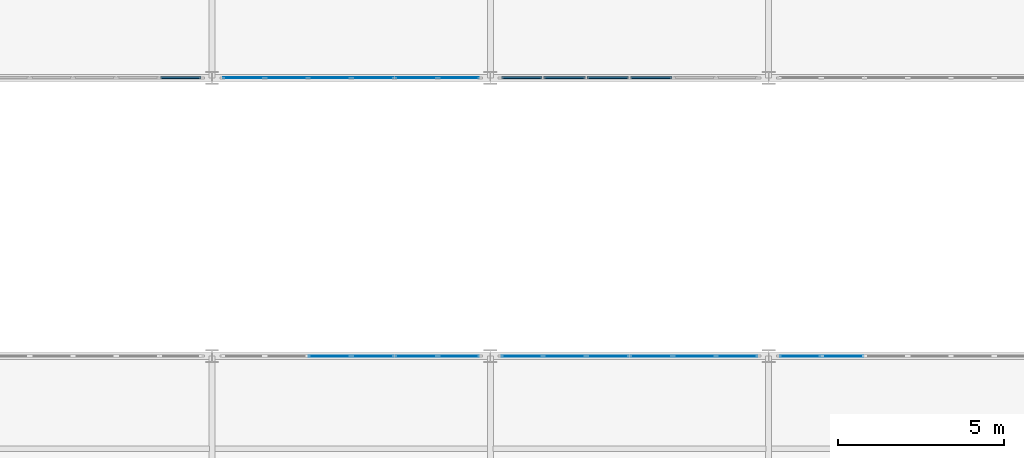
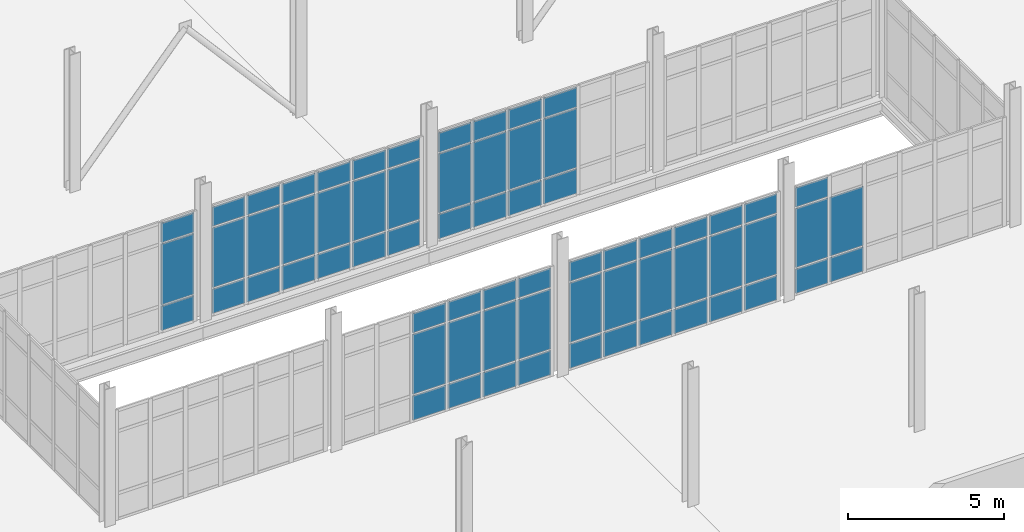
# One storey, part 79 of 111: 68 plates, 6 elements without a shape of their own.
"""IFC4 building model written with IfcOpenShell, lengths in metres."""

from ifc_helpers import new_model, si_unit, direction, frame, origin, origin_2d, place, context, subcontext, project, spatial, rectangle, extrude, material, layer, layer_set, type_object, element, aggregate, save


model = new_model("IFC4")

# Units and contexts
model_context = context("Model", 3, precision=1e-05, world=origin(), true_north=direction((0.0, 1.0)))
body_context = subcontext(model_context, "Body", "Model", "MODEL_VIEW")
ifc_project = project(units=[si_unit("LENGTHUNIT", "METRE"), si_unit("AREAUNIT", "SQUARE_METRE"), si_unit("VOLUMEUNIT", "CUBIC_METRE"), si_unit("PLANEANGLEUNIT", "RADIAN"), si_unit("MASSUNIT", "GRAM", prefix="KILO"), si_unit("THERMODYNAMICTEMPERATUREUNIT", "KELVIN"), si_unit("POWERUNIT", "WATT")], contexts=[model_context])

# Site, building, storey
site_placement = place(None, origin())
site = spatial("IfcSite", under=ifc_project, at=site_placement, CompositionType="ELEMENT")
building_placement = place(site_placement, origin())
building = spatial("IfcBuilding", under=site, at=building_placement, Name="Tembeka Court Mobility Hub", CompositionType="ELEMENT")
storey_placement = place(building_placement, origin())
storey = spatial("IfcBuildingStorey", under=building, at=storey_placement, Name="L00", CompositionType="ELEMENT", Elevation=0.0)

# Curtain wall, plates
ifc_material_1 = material(Name="Anodised aluminium 6063-T6", Category="aluminium")
ifc_layer_1 = layer(ifc_material_1, 0.159912109375)
ifc_layer_set_1 = layer_set([ifc_layer_1], Name="Anodised aluminium 6063-T6")
curtain_wall_type_1 = type_object("IfcCurtainWallType", Name="CW-SYS20", PredefinedType="USERDEFINED", material=ifc_layer_set_1)
curtain_wall_1_placement = place(storey_placement, origin())
curtain_wall_1 = element("IfcCurtainWall", 1, at=curtain_wall_1_placement, inside=storey, type_object=curtain_wall_type_1, Name="Unitised curtain wall CW20 (CW-L00-037)", ObjectType="UNITISED GLAZING", PredefinedType="USERDEFINED")
ifc_material_2 = material(Name="Laminated solar-control low-E glass", Category="glass")
ifc_layer_2 = layer(ifc_material_2, 0.028076171875)
ifc_layer_set_2 = layer_set([ifc_layer_2], Name="Laminated solar-control low-E glass")
plate_type_1 = type_object("IfcPlateType", Name="PL-CW01", PredefinedType="CURTAIN_PANEL", material=ifc_layer_set_2)
plate_1_placement = place(storey_placement, frame((37.146728515625, 55.199951171875, 0.06494140625), z_axis=(0.0, 0.0, 1.0), x_axis=(1.0, 0.0, 0.0)))
plate_1 = element("IfcPlate", 2, at=plate_1_placement, type_object=plate_type_1, Name="CW20 panel 3.1", PredefinedType="CURTAIN_PANEL", context=body_context, shape_type="SweptSolid", body=[
    extrude(rectangle(XDim=1.24169921875, YDim=0.028076171875, at=origin_2d()), origin(), (0.0, 0.0, 1.0), 0.952392578125),
])
plate_2_placement = place(storey_placement, frame((37.146728515625, 55.199951171875, 1.08251953125), z_axis=(0.0, 0.0, 1.0), x_axis=(1.0, 0.0, 0.0)))
plate_2 = element("IfcPlate", 3, at=plate_2_placement, type_object=plate_type_1, Name="CW20 panel 3.2", PredefinedType="CURTAIN_PANEL", context=body_context, shape_type="SweptSolid", body=[
    extrude(rectangle(XDim=1.24169921875, YDim=0.028076171875, at=origin_2d()), origin(), (0.0, 0.0, 1.0), 2.35009765625),
])
plate_3_placement = place(storey_placement, frame((37.146728515625, 55.199951171875, 3.49755859375), z_axis=(0.0, 0.0, 1.0), x_axis=(1.0, 0.0, 0.0)))
plate_3 = element("IfcPlate", 4, at=plate_3_placement, type_object=plate_type_1, Name="CW20 panel 3.3", PredefinedType="CURTAIN_PANEL", context=body_context, shape_type="SweptSolid", body=[
    extrude(rectangle(XDim=1.24169921875, YDim=0.028076171875, at=origin_2d()), origin(), (0.0, 0.0, 1.0), 0.75244140625),
])
plate_4_placement = place(storey_placement, frame((38.453369140625, 55.199951171875, 0.06494140625), z_axis=(0.0, 0.0, 1.0), x_axis=(1.0, 0.0, 0.0)))
plate_4 = element("IfcPlate", 5, at=plate_4_placement, type_object=plate_type_1, Name="CW20 panel 4.1", PredefinedType="CURTAIN_PANEL", context=body_context, shape_type="SweptSolid", body=[
    extrude(rectangle(XDim=1.24169921875, YDim=0.028076171875, at=origin_2d()), origin(), (0.0, 0.0, 1.0), 0.952392578125),
])
plate_5_placement = place(storey_placement, frame((38.453369140625, 55.199951171875, 1.08251953125), z_axis=(0.0, 0.0, 1.0), x_axis=(1.0, 0.0, 0.0)))
plate_5 = element("IfcPlate", 6, at=plate_5_placement, type_object=plate_type_1, Name="CW20 panel 4.2", PredefinedType="CURTAIN_PANEL", context=body_context, shape_type="SweptSolid", body=[
    extrude(rectangle(XDim=1.24169921875, YDim=0.028076171875, at=origin_2d()), origin(), (0.0, 0.0, 1.0), 2.35009765625),
])
plate_6_placement = place(storey_placement, frame((38.453369140625, 55.199951171875, 3.49755859375), z_axis=(0.0, 0.0, 1.0), x_axis=(1.0, 0.0, 0.0)))
plate_6 = element("IfcPlate", 7, at=plate_6_placement, type_object=plate_type_1, Name="CW20 panel 4.3", PredefinedType="CURTAIN_PANEL", context=body_context, shape_type="SweptSolid", body=[
    extrude(rectangle(XDim=1.24169921875, YDim=0.028076171875, at=origin_2d()), origin(), (0.0, 0.0, 1.0), 0.75244140625),
])
plate_7_placement = place(storey_placement, frame((39.760009765625, 55.199951171875, 0.06494140625), z_axis=(0.0, 0.0, 1.0), x_axis=(1.0, 0.0, 0.0)))
plate_7 = element("IfcPlate", 8, at=plate_7_placement, type_object=plate_type_1, Name="CW20 panel 5.1", PredefinedType="CURTAIN_PANEL", context=body_context, shape_type="SweptSolid", body=[
    extrude(rectangle(XDim=1.24169921875, YDim=0.028076171875, at=origin_2d()), origin(), (0.0, 0.0, 1.0), 0.952392578125),
])
plate_8_placement = place(storey_placement, frame((39.760009765625, 55.199951171875, 1.08251953125), z_axis=(0.0, 0.0, 1.0), x_axis=(1.0, 0.0, 0.0)))
plate_8 = element("IfcPlate", 9, at=plate_8_placement, type_object=plate_type_1, Name="CW20 panel 5.2", PredefinedType="CURTAIN_PANEL", context=body_context, shape_type="SweptSolid", body=[
    extrude(rectangle(XDim=1.24169921875, YDim=0.028076171875, at=origin_2d()), origin(), (0.0, 0.0, 1.0), 2.35009765625),
])
plate_9_placement = place(storey_placement, frame((39.760009765625, 55.199951171875, 3.49755859375), z_axis=(0.0, 0.0, 1.0), x_axis=(1.0, 0.0, 0.0)))
plate_9 = element("IfcPlate", 10, at=plate_9_placement, type_object=plate_type_1, Name="CW20 panel 5.3", PredefinedType="CURTAIN_PANEL", context=body_context, shape_type="SweptSolid", body=[
    extrude(rectangle(XDim=1.24169921875, YDim=0.028076171875, at=origin_2d()), origin(), (0.0, 0.0, 1.0), 0.75244140625),
])
plate_10_placement = place(storey_placement, frame((41.050537109375, 55.199951171875, 0.06494140625), z_axis=(0.0, 0.0, 1.0), x_axis=(1.0, 0.0, 0.0)))
plate_10 = element("IfcPlate", 11, at=plate_10_placement, type_object=plate_type_1, Name="CW20 panel 6.1", PredefinedType="CURTAIN_PANEL", context=body_context, shape_type="SweptSolid", body=[
    extrude(rectangle(XDim=1.209228515625, YDim=0.028076171875, at=origin_2d()), origin(), (0.0, 0.0, 1.0), 0.952392578125),
])
plate_11_placement = place(storey_placement, frame((41.050537109375, 55.199951171875, 1.08251953125), z_axis=(0.0, 0.0, 1.0), x_axis=(1.0, 0.0, 0.0)))
plate_11 = element("IfcPlate", 12, at=plate_11_placement, type_object=plate_type_1, Name="CW20 panel 6.2", PredefinedType="CURTAIN_PANEL", context=body_context, shape_type="SweptSolid", body=[
    extrude(rectangle(XDim=1.209228515625, YDim=0.028076171875, at=origin_2d()), origin(), (0.0, 0.0, 1.0), 2.35009765625),
])
plate_12_placement = place(storey_placement, frame((41.050537109375, 55.199951171875, 3.49755859375), z_axis=(0.0, 0.0, 1.0), x_axis=(1.0, 0.0, 0.0)))
plate_12 = element("IfcPlate", 13, at=plate_12_placement, type_object=plate_type_1, Name="CW20 panel 6.3", PredefinedType="CURTAIN_PANEL", context=body_context, shape_type="SweptSolid", body=[
    extrude(rectangle(XDim=1.209228515625, YDim=0.028076171875, at=origin_2d()), origin(), (0.0, 0.0, 1.0), 0.75244140625),
])
aggregate(curtain_wall_1, [plate_1, plate_2, plate_3, plate_4, plate_5, plate_6, plate_7, plate_8, plate_9, plate_10, plate_11, plate_12])

ifc_layer_3 = layer(ifc_material_1, 0.159912109375)
ifc_layer_set_3 = layer_set([ifc_layer_3], Name="Anodised aluminium 6063-T6")
curtain_wall_type_2 = type_object("IfcCurtainWallType", Name="CW-SYS21", PredefinedType="USERDEFINED", material=ifc_layer_set_3)
curtain_wall_2_placement = place(storey_placement, origin())
curtain_wall_2 = element("IfcCurtainWall", 14, at=curtain_wall_2_placement, inside=storey, type_object=curtain_wall_type_2, Name="Unitised curtain wall CW21 (CW-L00-038)", ObjectType="UNITISED GLAZING", PredefinedType="USERDEFINED")
plate_13_placement = place(storey_placement, frame((34.549560546875, 63.60009765625, 0.06494140625), z_axis=(0.0, 0.0, 1.0), x_axis=(1.0, 0.0, 0.0)))
plate_13 = element("IfcPlate", 15, at=plate_13_placement, type_object=plate_type_1, Name="CW21 panel 1.1", PredefinedType="CURTAIN_PANEL", context=body_context, shape_type="SweptSolid", body=[
    extrude(rectangle(XDim=1.209228515625, YDim=0.028076171875, at=origin_2d()), origin(), (0.0, 0.0, 1.0), 0.952392578125),
])
plate_14_placement = place(storey_placement, frame((34.549560546875, 63.60009765625, 1.08251953125), z_axis=(0.0, 0.0, 1.0), x_axis=(1.0, 0.0, 0.0)))
plate_14 = element("IfcPlate", 16, at=plate_14_placement, type_object=plate_type_1, Name="CW21 panel 1.2", PredefinedType="CURTAIN_PANEL", context=body_context, shape_type="SweptSolid", body=[
    extrude(rectangle(XDim=1.209228515625, YDim=0.028076171875, at=origin_2d()), origin(), (0.0, 0.0, 1.0), 2.340087890625),
])
plate_15_placement = place(storey_placement, frame((34.549560546875, 63.60009765625, 3.487548828125), z_axis=(0.0, 0.0, 1.0), x_axis=(1.0, 0.0, 0.0)))
plate_15 = element("IfcPlate", 17, at=plate_15_placement, type_object=plate_type_1, Name="CW21 panel 1.3", PredefinedType="CURTAIN_PANEL", context=body_context, shape_type="SweptSolid", body=[
    extrude(rectangle(XDim=1.209228515625, YDim=0.028076171875, at=origin_2d()), origin(), (0.0, 0.0, 1.0), 0.75244140625),
])
plate_16_placement = place(storey_placement, frame((35.840087890625, 63.60009765625, 0.06494140625), z_axis=(0.0, 0.0, 1.0), x_axis=(1.0, 0.0, 0.0)))
plate_16 = element("IfcPlate", 18, at=plate_16_placement, type_object=plate_type_1, Name="CW21 panel 2.1", PredefinedType="CURTAIN_PANEL", context=body_context, shape_type="SweptSolid", body=[
    extrude(rectangle(XDim=1.24169921875, YDim=0.028076171875, at=origin_2d()), origin(), (0.0, 0.0, 1.0), 0.952392578125),
])
plate_17_placement = place(storey_placement, frame((35.840087890625, 63.60009765625, 1.08251953125), z_axis=(0.0, 0.0, 1.0), x_axis=(1.0, 0.0, 0.0)))
plate_17 = element("IfcPlate", 19, at=plate_17_placement, type_object=plate_type_1, Name="CW21 panel 2.2", PredefinedType="CURTAIN_PANEL", context=body_context, shape_type="SweptSolid", body=[
    extrude(rectangle(XDim=1.24169921875, YDim=0.028076171875, at=origin_2d()), origin(), (0.0, 0.0, 1.0), 2.340087890625),
])
plate_18_placement = place(storey_placement, frame((35.840087890625, 63.60009765625, 3.487548828125), z_axis=(0.0, 0.0, 1.0), x_axis=(1.0, 0.0, 0.0)))
plate_18 = element("IfcPlate", 20, at=plate_18_placement, type_object=plate_type_1, Name="CW21 panel 2.3", PredefinedType="CURTAIN_PANEL", context=body_context, shape_type="SweptSolid", body=[
    extrude(rectangle(XDim=1.24169921875, YDim=0.028076171875, at=origin_2d()), origin(), (0.0, 0.0, 1.0), 0.75244140625),
])
plate_19_placement = place(storey_placement, frame((37.146728515625, 63.60009765625, 0.06494140625), z_axis=(0.0, 0.0, 1.0), x_axis=(1.0, 0.0, 0.0)))
plate_19 = element("IfcPlate", 21, at=plate_19_placement, type_object=plate_type_1, Name="CW21 panel 3.1", PredefinedType="CURTAIN_PANEL", context=body_context, shape_type="SweptSolid", body=[
    extrude(rectangle(XDim=1.24169921875, YDim=0.028076171875, at=origin_2d()), origin(), (0.0, 0.0, 1.0), 0.952392578125),
])
plate_20_placement = place(storey_placement, frame((37.146728515625, 63.60009765625, 1.08251953125), z_axis=(0.0, 0.0, 1.0), x_axis=(1.0, 0.0, 0.0)))
plate_20 = element("IfcPlate", 22, at=plate_20_placement, type_object=plate_type_1, Name="CW21 panel 3.2", PredefinedType="CURTAIN_PANEL", context=body_context, shape_type="SweptSolid", body=[
    extrude(rectangle(XDim=1.24169921875, YDim=0.028076171875, at=origin_2d()), origin(), (0.0, 0.0, 1.0), 2.340087890625),
])
plate_21_placement = place(storey_placement, frame((37.146728515625, 63.60009765625, 3.487548828125), z_axis=(0.0, 0.0, 1.0), x_axis=(1.0, 0.0, 0.0)))
plate_21 = element("IfcPlate", 23, at=plate_21_placement, type_object=plate_type_1, Name="CW21 panel 3.3", PredefinedType="CURTAIN_PANEL", context=body_context, shape_type="SweptSolid", body=[
    extrude(rectangle(XDim=1.24169921875, YDim=0.028076171875, at=origin_2d()), origin(), (0.0, 0.0, 1.0), 0.75244140625),
])
plate_22_placement = place(storey_placement, frame((38.453369140625, 63.60009765625, 0.06494140625), z_axis=(0.0, 0.0, 1.0), x_axis=(1.0, 0.0, 0.0)))
plate_22 = element("IfcPlate", 24, at=plate_22_placement, type_object=plate_type_1, Name="CW21 panel 4.1", PredefinedType="CURTAIN_PANEL", context=body_context, shape_type="SweptSolid", body=[
    extrude(rectangle(XDim=1.24169921875, YDim=0.028076171875, at=origin_2d()), origin(), (0.0, 0.0, 1.0), 0.952392578125),
])
plate_23_placement = place(storey_placement, frame((38.453369140625, 63.60009765625, 1.08251953125), z_axis=(0.0, 0.0, 1.0), x_axis=(1.0, 0.0, 0.0)))
plate_23 = element("IfcPlate", 25, at=plate_23_placement, type_object=plate_type_1, Name="CW21 panel 4.2", PredefinedType="CURTAIN_PANEL", context=body_context, shape_type="SweptSolid", body=[
    extrude(rectangle(XDim=1.24169921875, YDim=0.028076171875, at=origin_2d()), origin(), (0.0, 0.0, 1.0), 2.340087890625),
])
plate_24_placement = place(storey_placement, frame((38.453369140625, 63.60009765625, 3.487548828125), z_axis=(0.0, 0.0, 1.0), x_axis=(1.0, 0.0, 0.0)))
plate_24 = element("IfcPlate", 26, at=plate_24_placement, type_object=plate_type_1, Name="CW21 panel 4.3", PredefinedType="CURTAIN_PANEL", context=body_context, shape_type="SweptSolid", body=[
    extrude(rectangle(XDim=1.24169921875, YDim=0.028076171875, at=origin_2d()), origin(), (0.0, 0.0, 1.0), 0.75244140625),
])
plate_25_placement = place(storey_placement, frame((39.760009765625, 63.60009765625, 0.06494140625), z_axis=(0.0, 0.0, 1.0), x_axis=(1.0, 0.0, 0.0)))
plate_25 = element("IfcPlate", 27, at=plate_25_placement, type_object=plate_type_1, Name="CW21 panel 5.1", PredefinedType="CURTAIN_PANEL", context=body_context, shape_type="SweptSolid", body=[
    extrude(rectangle(XDim=1.24169921875, YDim=0.028076171875, at=origin_2d()), origin(), (0.0, 0.0, 1.0), 0.952392578125),
])
plate_26_placement = place(storey_placement, frame((39.760009765625, 63.60009765625, 1.08251953125), z_axis=(0.0, 0.0, 1.0), x_axis=(1.0, 0.0, 0.0)))
plate_26 = element("IfcPlate", 28, at=plate_26_placement, type_object=plate_type_1, Name="CW21 panel 5.2", PredefinedType="CURTAIN_PANEL", context=body_context, shape_type="SweptSolid", body=[
    extrude(rectangle(XDim=1.24169921875, YDim=0.028076171875, at=origin_2d()), origin(), (0.0, 0.0, 1.0), 2.340087890625),
])
plate_27_placement = place(storey_placement, frame((39.760009765625, 63.60009765625, 3.487548828125), z_axis=(0.0, 0.0, 1.0), x_axis=(1.0, 0.0, 0.0)))
plate_27 = element("IfcPlate", 29, at=plate_27_placement, type_object=plate_type_1, Name="CW21 panel 5.3", PredefinedType="CURTAIN_PANEL", context=body_context, shape_type="SweptSolid", body=[
    extrude(rectangle(XDim=1.24169921875, YDim=0.028076171875, at=origin_2d()), origin(), (0.0, 0.0, 1.0), 0.75244140625),
])
plate_28_placement = place(storey_placement, frame((41.050537109375, 63.60009765625, 0.06494140625), z_axis=(0.0, 0.0, 1.0), x_axis=(1.0, 0.0, 0.0)))
plate_28 = element("IfcPlate", 30, at=plate_28_placement, type_object=plate_type_1, Name="CW21 panel 6.1", PredefinedType="CURTAIN_PANEL", context=body_context, shape_type="SweptSolid", body=[
    extrude(rectangle(XDim=1.209228515625, YDim=0.028076171875, at=origin_2d()), origin(), (0.0, 0.0, 1.0), 0.952392578125),
])
plate_29_placement = place(storey_placement, frame((41.050537109375, 63.60009765625, 1.08251953125), z_axis=(0.0, 0.0, 1.0), x_axis=(1.0, 0.0, 0.0)))
plate_29 = element("IfcPlate", 31, at=plate_29_placement, type_object=plate_type_1, Name="CW21 panel 6.2", PredefinedType="CURTAIN_PANEL", context=body_context, shape_type="SweptSolid", body=[
    extrude(rectangle(XDim=1.209228515625, YDim=0.028076171875, at=origin_2d()), origin(), (0.0, 0.0, 1.0), 2.340087890625),
])
plate_30_placement = place(storey_placement, frame((41.050537109375, 63.60009765625, 3.487548828125), z_axis=(0.0, 0.0, 1.0), x_axis=(1.0, 0.0, 0.0)))
plate_30 = element("IfcPlate", 32, at=plate_30_placement, type_object=plate_type_1, Name="CW21 panel 6.3", PredefinedType="CURTAIN_PANEL", context=body_context, shape_type="SweptSolid", body=[
    extrude(rectangle(XDim=1.209228515625, YDim=0.028076171875, at=origin_2d()), origin(), (0.0, 0.0, 1.0), 0.75244140625),
])
aggregate(curtain_wall_2, [plate_13, plate_14, plate_15, plate_16, plate_17, plate_18, plate_19, plate_20, plate_21, plate_22, plate_23, plate_24, plate_25, plate_26, plate_27, plate_28, plate_29, plate_30])

curtain_wall_3_placement = place(storey_placement, origin())
curtain_wall_3 = element("IfcCurtainWall", 33, at=curtain_wall_3_placement, inside=storey, type_object=curtain_wall_type_2, Name="Unitised curtain wall CW21 (CW-L00-039)", ObjectType="UNITISED GLAZING", PredefinedType="USERDEFINED")
plate_31_placement = place(storey_placement, frame((42.949462890625, 55.199951171875, 0.06494140625), z_axis=(0.0, 0.0, 1.0), x_axis=(1.0, 0.0, 0.0)))
plate_31 = element("IfcPlate", 34, at=plate_31_placement, type_object=plate_type_1, Name="CW21 panel 1.1", PredefinedType="CURTAIN_PANEL", context=body_context, shape_type="SweptSolid", body=[
    extrude(rectangle(XDim=1.209228515625, YDim=0.028076171875, at=origin_2d()), origin(), (0.0, 0.0, 1.0), 0.952392578125),
])
plate_32_placement = place(storey_placement, frame((42.949462890625, 55.199951171875, 1.08251953125), z_axis=(0.0, 0.0, 1.0), x_axis=(1.0, 0.0, 0.0)))
plate_32 = element("IfcPlate", 35, at=plate_32_placement, type_object=plate_type_1, Name="CW21 panel 1.2", PredefinedType="CURTAIN_PANEL", context=body_context, shape_type="SweptSolid", body=[
    extrude(rectangle(XDim=1.209228515625, YDim=0.028076171875, at=origin_2d()), origin(), (0.0, 0.0, 1.0), 2.330078125),
])
plate_33_placement = place(storey_placement, frame((42.949462890625, 55.199951171875, 3.4775390625), z_axis=(0.0, 0.0, 1.0), x_axis=(1.0, 0.0, 0.0)))
plate_33 = element("IfcPlate", 36, at=plate_33_placement, type_object=plate_type_1, Name="CW21 panel 1.3", PredefinedType="CURTAIN_PANEL", context=body_context, shape_type="SweptSolid", body=[
    extrude(rectangle(XDim=1.209228515625, YDim=0.028076171875, at=origin_2d()), origin(), (0.0, 0.0, 1.0), 0.75244140625),
])
plate_34_placement = place(storey_placement, frame((44.239990234375, 55.199951171875, 0.06494140625), z_axis=(0.0, 0.0, 1.0), x_axis=(1.0, 0.0, 0.0)))
plate_34 = element("IfcPlate", 37, at=plate_34_placement, type_object=plate_type_1, Name="CW21 panel 2.1", PredefinedType="CURTAIN_PANEL", context=body_context, shape_type="SweptSolid", body=[
    extrude(rectangle(XDim=1.24169921875, YDim=0.028076171875, at=origin_2d()), origin(), (0.0, 0.0, 1.0), 0.952392578125),
])
plate_35_placement = place(storey_placement, frame((44.239990234375, 55.199951171875, 1.08251953125), z_axis=(0.0, 0.0, 1.0), x_axis=(1.0, 0.0, 0.0)))
plate_35 = element("IfcPlate", 38, at=plate_35_placement, type_object=plate_type_1, Name="CW21 panel 2.2", PredefinedType="CURTAIN_PANEL", context=body_context, shape_type="SweptSolid", body=[
    extrude(rectangle(XDim=1.24169921875, YDim=0.028076171875, at=origin_2d()), origin(), (0.0, 0.0, 1.0), 2.330078125),
])
plate_36_placement = place(storey_placement, frame((44.239990234375, 55.199951171875, 3.4775390625), z_axis=(0.0, 0.0, 1.0), x_axis=(1.0, 0.0, 0.0)))
plate_36 = element("IfcPlate", 39, at=plate_36_placement, type_object=plate_type_1, Name="CW21 panel 2.3", PredefinedType="CURTAIN_PANEL", context=body_context, shape_type="SweptSolid", body=[
    extrude(rectangle(XDim=1.24169921875, YDim=0.028076171875, at=origin_2d()), origin(), (0.0, 0.0, 1.0), 0.75244140625),
])
plate_37_placement = place(storey_placement, frame((45.546630859375, 55.199951171875, 0.06494140625), z_axis=(0.0, 0.0, 1.0), x_axis=(1.0, 0.0, 0.0)))
plate_37 = element("IfcPlate", 40, at=plate_37_placement, type_object=plate_type_1, Name="CW21 panel 3.1", PredefinedType="CURTAIN_PANEL", context=body_context, shape_type="SweptSolid", body=[
    extrude(rectangle(XDim=1.24169921875, YDim=0.028076171875, at=origin_2d()), origin(), (0.0, 0.0, 1.0), 0.952392578125),
])
plate_38_placement = place(storey_placement, frame((45.546630859375, 55.199951171875, 1.08251953125), z_axis=(0.0, 0.0, 1.0), x_axis=(1.0, 0.0, 0.0)))
plate_38 = element("IfcPlate", 41, at=plate_38_placement, type_object=plate_type_1, Name="CW21 panel 3.2", PredefinedType="CURTAIN_PANEL", context=body_context, shape_type="SweptSolid", body=[
    extrude(rectangle(XDim=1.24169921875, YDim=0.028076171875, at=origin_2d()), origin(), (0.0, 0.0, 1.0), 2.330078125),
])
plate_39_placement = place(storey_placement, frame((45.546630859375, 55.199951171875, 3.4775390625), z_axis=(0.0, 0.0, 1.0), x_axis=(1.0, 0.0, 0.0)))
plate_39 = element("IfcPlate", 42, at=plate_39_placement, type_object=plate_type_1, Name="CW21 panel 3.3", PredefinedType="CURTAIN_PANEL", context=body_context, shape_type="SweptSolid", body=[
    extrude(rectangle(XDim=1.24169921875, YDim=0.028076171875, at=origin_2d()), origin(), (0.0, 0.0, 1.0), 0.75244140625),
])
plate_40_placement = place(storey_placement, frame((46.853271484375, 55.199951171875, 0.06494140625), z_axis=(0.0, 0.0, 1.0), x_axis=(1.0, 0.0, 0.0)))
plate_40 = element("IfcPlate", 43, at=plate_40_placement, type_object=plate_type_1, Name="CW21 panel 4.1", PredefinedType="CURTAIN_PANEL", context=body_context, shape_type="SweptSolid", body=[
    extrude(rectangle(XDim=1.24169921875, YDim=0.028076171875, at=origin_2d()), origin(), (0.0, 0.0, 1.0), 0.952392578125),
])
plate_41_placement = place(storey_placement, frame((46.853271484375, 55.199951171875, 1.08251953125), z_axis=(0.0, 0.0, 1.0), x_axis=(1.0, 0.0, 0.0)))
plate_41 = element("IfcPlate", 44, at=plate_41_placement, type_object=plate_type_1, Name="CW21 panel 4.2", PredefinedType="CURTAIN_PANEL", context=body_context, shape_type="SweptSolid", body=[
    extrude(rectangle(XDim=1.24169921875, YDim=0.028076171875, at=origin_2d()), origin(), (0.0, 0.0, 1.0), 2.330078125),
])
plate_42_placement = place(storey_placement, frame((46.853271484375, 55.199951171875, 3.4775390625), z_axis=(0.0, 0.0, 1.0), x_axis=(1.0, 0.0, 0.0)))
plate_42 = element("IfcPlate", 45, at=plate_42_placement, type_object=plate_type_1, Name="CW21 panel 4.3", PredefinedType="CURTAIN_PANEL", context=body_context, shape_type="SweptSolid", body=[
    extrude(rectangle(XDim=1.24169921875, YDim=0.028076171875, at=origin_2d()), origin(), (0.0, 0.0, 1.0), 0.75244140625),
])
plate_43_placement = place(storey_placement, frame((48.159912109375, 55.199951171875, 0.06494140625), z_axis=(0.0, 0.0, 1.0), x_axis=(1.0, 0.0, 0.0)))
plate_43 = element("IfcPlate", 46, at=plate_43_placement, type_object=plate_type_1, Name="CW21 panel 5.1", PredefinedType="CURTAIN_PANEL", context=body_context, shape_type="SweptSolid", body=[
    extrude(rectangle(XDim=1.24169921875, YDim=0.028076171875, at=origin_2d()), origin(), (0.0, 0.0, 1.0), 0.952392578125),
])
plate_44_placement = place(storey_placement, frame((48.159912109375, 55.199951171875, 1.08251953125), z_axis=(0.0, 0.0, 1.0), x_axis=(1.0, 0.0, 0.0)))
plate_44 = element("IfcPlate", 47, at=plate_44_placement, type_object=plate_type_1, Name="CW21 panel 5.2", PredefinedType="CURTAIN_PANEL", context=body_context, shape_type="SweptSolid", body=[
    extrude(rectangle(XDim=1.24169921875, YDim=0.028076171875, at=origin_2d()), origin(), (0.0, 0.0, 1.0), 2.330078125),
])
plate_45_placement = place(storey_placement, frame((48.159912109375, 55.199951171875, 3.4775390625), z_axis=(0.0, 0.0, 1.0), x_axis=(1.0, 0.0, 0.0)))
plate_45 = element("IfcPlate", 48, at=plate_45_placement, type_object=plate_type_1, Name="CW21 panel 5.3", PredefinedType="CURTAIN_PANEL", context=body_context, shape_type="SweptSolid", body=[
    extrude(rectangle(XDim=1.24169921875, YDim=0.028076171875, at=origin_2d()), origin(), (0.0, 0.0, 1.0), 0.75244140625),
])
plate_46_placement = place(storey_placement, frame((49.450439453125, 55.199951171875, 0.06494140625), z_axis=(0.0, 0.0, 1.0), x_axis=(1.0, 0.0, 0.0)))
plate_46 = element("IfcPlate", 49, at=plate_46_placement, type_object=plate_type_1, Name="CW21 panel 6.1", PredefinedType="CURTAIN_PANEL", context=body_context, shape_type="SweptSolid", body=[
    extrude(rectangle(XDim=1.209228515625, YDim=0.028076171875, at=origin_2d()), origin(), (0.0, 0.0, 1.0), 0.952392578125),
])
plate_47_placement = place(storey_placement, frame((49.450439453125, 55.199951171875, 1.08251953125), z_axis=(0.0, 0.0, 1.0), x_axis=(1.0, 0.0, 0.0)))
plate_47 = element("IfcPlate", 50, at=plate_47_placement, type_object=plate_type_1, Name="CW21 panel 6.2", PredefinedType="CURTAIN_PANEL", context=body_context, shape_type="SweptSolid", body=[
    extrude(rectangle(XDim=1.209228515625, YDim=0.028076171875, at=origin_2d()), origin(), (0.0, 0.0, 1.0), 2.330078125),
])
plate_48_placement = place(storey_placement, frame((49.450439453125, 55.199951171875, 3.4775390625), z_axis=(0.0, 0.0, 1.0), x_axis=(1.0, 0.0, 0.0)))
plate_48 = element("IfcPlate", 51, at=plate_48_placement, type_object=plate_type_1, Name="CW21 panel 6.3", PredefinedType="CURTAIN_PANEL", context=body_context, shape_type="SweptSolid", body=[
    extrude(rectangle(XDim=1.209228515625, YDim=0.028076171875, at=origin_2d()), origin(), (0.0, 0.0, 1.0), 0.75244140625),
])
aggregate(curtain_wall_3, [plate_31, plate_32, plate_33, plate_34, plate_35, plate_36, plate_37, plate_38, plate_39, plate_40, plate_41, plate_42, plate_43, plate_44, plate_45, plate_46, plate_47, plate_48])

ifc_layer_4 = layer(ifc_material_1, 0.159912109375)
ifc_layer_set_4 = layer_set([ifc_layer_4], Name="Anodised aluminium 6063-T6")
curtain_wall_type_3 = type_object("IfcCurtainWallType", Name="CW-SYS22", PredefinedType="USERDEFINED", material=ifc_layer_set_4)
curtain_wall_4_placement = place(storey_placement, origin())
curtain_wall_4 = element("IfcCurtainWall", 52, at=curtain_wall_4_placement, inside=storey, type_object=curtain_wall_type_3, Name="Unitised curtain wall CW22 (CW-L00-041)", ObjectType="UNITISED GLAZING", PredefinedType="USERDEFINED")
plate_49_placement = place(storey_placement, frame((51.349609375, 55.199951171875, 0.06494140625), z_axis=(0.0, 0.0, 1.0), x_axis=(1.0, 0.0, 0.0)))
plate_49 = element("IfcPlate", 53, at=plate_49_placement, type_object=plate_type_1, Name="CW22 panel 1.1", PredefinedType="CURTAIN_PANEL", context=body_context, shape_type="SweptSolid", body=[
    extrude(rectangle(XDim=1.209228515625, YDim=0.028076171875, at=origin_2d()), origin(), (0.0, 0.0, 1.0), 0.952392578125),
])
plate_50_placement = place(storey_placement, frame((51.349609375, 55.199951171875, 1.08251953125), z_axis=(0.0, 0.0, 1.0), x_axis=(1.0, 0.0, 0.0)))
plate_50 = element("IfcPlate", 54, at=plate_50_placement, type_object=plate_type_1, Name="CW22 panel 1.2", PredefinedType="CURTAIN_PANEL", context=body_context, shape_type="SweptSolid", body=[
    extrude(rectangle(XDim=1.209228515625, YDim=0.028076171875, at=origin_2d()), origin(), (0.0, 0.0, 1.0), 2.31005859375),
])
plate_51_placement = place(storey_placement, frame((51.349609375, 55.199951171875, 3.45751953125), z_axis=(0.0, 0.0, 1.0), x_axis=(1.0, 0.0, 0.0)))
plate_51 = element("IfcPlate", 55, at=plate_51_placement, type_object=plate_type_1, Name="CW22 panel 1.3", PredefinedType="CURTAIN_PANEL", context=body_context, shape_type="SweptSolid", body=[
    extrude(rectangle(XDim=1.209228515625, YDim=0.028076171875, at=origin_2d()), origin(), (0.0, 0.0, 1.0), 0.75244140625),
])
plate_52_placement = place(storey_placement, frame((52.639892578125, 55.199951171875, 0.06494140625), z_axis=(0.0, 0.0, 1.0), x_axis=(1.0, 0.0, 0.0)))
plate_52 = element("IfcPlate", 56, at=plate_52_placement, type_object=plate_type_1, Name="CW22 panel 2.1", PredefinedType="CURTAIN_PANEL", context=body_context, shape_type="SweptSolid", body=[
    extrude(rectangle(XDim=1.24169921875, YDim=0.028076171875, at=origin_2d()), origin(), (0.0, 0.0, 1.0), 0.952392578125),
])
plate_53_placement = place(storey_placement, frame((52.639892578125, 55.199951171875, 1.08251953125), z_axis=(0.0, 0.0, 1.0), x_axis=(1.0, 0.0, 0.0)))
plate_53 = element("IfcPlate", 57, at=plate_53_placement, type_object=plate_type_1, Name="CW22 panel 2.2", PredefinedType="CURTAIN_PANEL", context=body_context, shape_type="SweptSolid", body=[
    extrude(rectangle(XDim=1.24169921875, YDim=0.028076171875, at=origin_2d()), origin(), (0.0, 0.0, 1.0), 2.31005859375),
])
aggregate(curtain_wall_4, [plate_49, plate_50, plate_51, plate_52, plate_53])

ifc_layer_5 = layer(ifc_material_1, 0.159912109375)
ifc_layer_set_5 = layer_set([ifc_layer_5], Name="Anodised aluminium 6063-T6")
curtain_wall_type_4 = type_object("IfcCurtainWallType", Name="CW-SYS01", PredefinedType="USERDEFINED", material=ifc_layer_set_5)
curtain_wall_5_placement = place(storey_placement, origin())
curtain_wall_5 = element("IfcCurtainWall", 58, at=curtain_wall_5_placement, inside=storey, type_object=curtain_wall_type_4, Name="Unitised curtain wall CW01 (CW-L00-036)", ObjectType="UNITISED GLAZING", PredefinedType="USERDEFINED")
ifc_material_3 = material(Name="Insulated aluminium spandrel panel", Category="aluminium")
ifc_layer_6 = layer(ifc_material_3, 0.052001953125)
ifc_layer_set_6 = layer_set([ifc_layer_6], Name="Insulated aluminium spandrel panel")
plate_type_2 = type_object("IfcPlateType", Name="PL-CW02", PredefinedType="CURTAIN_PANEL", material=ifc_layer_set_6)
plate_54_placement = place(storey_placement, frame((32.650390625, 63.60009765625, 0.06494140625), z_axis=(0.0, 0.0, 1.0), x_axis=(1.0, 0.0, 0.0)))
plate_54 = element("IfcPlate", 59, at=plate_54_placement, type_object=plate_type_2, Name="CW01 panel 6.1", PredefinedType="CURTAIN_PANEL", context=body_context, shape_type="SweptSolid", body=[
    extrude(rectangle(XDim=1.209228515625, YDim=0.052001953125, at=origin_2d()), origin(), (0.0, 0.0, 1.0), 0.952392578125),
])
plate_55_placement = place(storey_placement, frame((32.650390625, 63.60009765625, 1.08251953125), z_axis=(0.0, 0.0, 1.0), x_axis=(1.0, 0.0, 0.0)))
plate_55 = element("IfcPlate", 60, at=plate_55_placement, type_object=plate_type_2, Name="CW01 panel 6.2", PredefinedType="CURTAIN_PANEL", context=body_context, shape_type="SweptSolid", body=[
    extrude(rectangle(XDim=1.209228515625, YDim=0.052001953125, at=origin_2d()), origin(), (0.0, 0.0, 1.0), 2.3701171875),
])
plate_56_placement = place(storey_placement, frame((32.650390625, 63.60009765625, 3.517578125), z_axis=(0.0, 0.0, 1.0), x_axis=(1.0, 0.0, 0.0)))
plate_56 = element("IfcPlate", 61, at=plate_56_placement, type_object=plate_type_2, Name="CW01 panel 6.3", PredefinedType="CURTAIN_PANEL", context=body_context, shape_type="SweptSolid", body=[
    extrude(rectangle(XDim=1.209228515625, YDim=0.052001953125, at=origin_2d()), origin(), (0.0, 0.0, 1.0), 0.75244140625),
])
aggregate(curtain_wall_5, [plate_54, plate_55, plate_56])

curtain_wall_6_placement = place(storey_placement, origin())
curtain_wall_6 = element("IfcCurtainWall", 62, at=curtain_wall_6_placement, inside=storey, type_object=curtain_wall_type_3, Name="Unitised curtain wall CW22 (CW-L00-040)", ObjectType="UNITISED GLAZING", PredefinedType="USERDEFINED")
plate_57_placement = place(storey_placement, frame((42.949462890625, 63.60009765625, 0.06494140625), z_axis=(0.0, 0.0, 1.0), x_axis=(1.0, 0.0, 0.0)))
plate_57 = element("IfcPlate", 63, at=plate_57_placement, type_object=plate_type_2, Name="CW22 panel 1.1", PredefinedType="CURTAIN_PANEL", context=body_context, shape_type="SweptSolid", body=[
    extrude(rectangle(XDim=1.209228515625, YDim=0.052001953125, at=origin_2d()), origin(), (0.0, 0.0, 1.0), 0.952392578125),
])
plate_58_placement = place(storey_placement, frame((42.949462890625, 63.60009765625, 1.08251953125), z_axis=(0.0, 0.0, 1.0), x_axis=(1.0, 0.0, 0.0)))
plate_58 = element("IfcPlate", 64, at=plate_58_placement, type_object=plate_type_2, Name="CW22 panel 1.2", PredefinedType="CURTAIN_PANEL", context=body_context, shape_type="SweptSolid", body=[
    extrude(rectangle(XDim=1.209228515625, YDim=0.052001953125, at=origin_2d()), origin(), (0.0, 0.0, 1.0), 2.31005859375),
])
plate_59_placement = place(storey_placement, frame((42.949462890625, 63.60009765625, 3.45751953125), z_axis=(0.0, 0.0, 1.0), x_axis=(1.0, 0.0, 0.0)))
plate_59 = element("IfcPlate", 65, at=plate_59_placement, type_object=plate_type_2, Name="CW22 panel 1.3", PredefinedType="CURTAIN_PANEL", context=body_context, shape_type="SweptSolid", body=[
    extrude(rectangle(XDim=1.209228515625, YDim=0.052001953125, at=origin_2d()), origin(), (0.0, 0.0, 1.0), 0.75244140625),
])
plate_60_placement = place(storey_placement, frame((44.239990234375, 63.60009765625, 0.06494140625), z_axis=(0.0, 0.0, 1.0), x_axis=(1.0, 0.0, 0.0)))
plate_60 = element("IfcPlate", 66, at=plate_60_placement, type_object=plate_type_2, Name="CW22 panel 2.1", PredefinedType="CURTAIN_PANEL", context=body_context, shape_type="SweptSolid", body=[
    extrude(rectangle(XDim=1.24169921875, YDim=0.052001953125, at=origin_2d()), origin(), (0.0, 0.0, 1.0), 0.952392578125),
])
plate_61_placement = place(storey_placement, frame((44.239990234375, 63.60009765625, 1.08251953125), z_axis=(0.0, 0.0, 1.0), x_axis=(1.0, 0.0, 0.0)))
plate_61 = element("IfcPlate", 67, at=plate_61_placement, type_object=plate_type_2, Name="CW22 panel 2.2", PredefinedType="CURTAIN_PANEL", context=body_context, shape_type="SweptSolid", body=[
    extrude(rectangle(XDim=1.24169921875, YDim=0.052001953125, at=origin_2d()), origin(), (0.0, 0.0, 1.0), 2.31005859375),
])
plate_62_placement = place(storey_placement, frame((44.239990234375, 63.60009765625, 3.45751953125), z_axis=(0.0, 0.0, 1.0), x_axis=(1.0, 0.0, 0.0)))
plate_62 = element("IfcPlate", 68, at=plate_62_placement, type_object=plate_type_2, Name="CW22 panel 2.3", PredefinedType="CURTAIN_PANEL", context=body_context, shape_type="SweptSolid", body=[
    extrude(rectangle(XDim=1.24169921875, YDim=0.052001953125, at=origin_2d()), origin(), (0.0, 0.0, 1.0), 0.75244140625),
])
plate_63_placement = place(storey_placement, frame((45.546630859375, 63.60009765625, 0.06494140625), z_axis=(0.0, 0.0, 1.0), x_axis=(1.0, 0.0, 0.0)))
plate_63 = element("IfcPlate", 69, at=plate_63_placement, type_object=plate_type_2, Name="CW22 panel 3.1", PredefinedType="CURTAIN_PANEL", context=body_context, shape_type="SweptSolid", body=[
    extrude(rectangle(XDim=1.24169921875, YDim=0.052001953125, at=origin_2d()), origin(), (0.0, 0.0, 1.0), 0.952392578125),
])
plate_64_placement = place(storey_placement, frame((45.546630859375, 63.60009765625, 1.08251953125), z_axis=(0.0, 0.0, 1.0), x_axis=(1.0, 0.0, 0.0)))
plate_64 = element("IfcPlate", 70, at=plate_64_placement, type_object=plate_type_2, Name="CW22 panel 3.2", PredefinedType="CURTAIN_PANEL", context=body_context, shape_type="SweptSolid", body=[
    extrude(rectangle(XDim=1.24169921875, YDim=0.052001953125, at=origin_2d()), origin(), (0.0, 0.0, 1.0), 2.31005859375),
])
plate_65_placement = place(storey_placement, frame((45.546630859375, 63.60009765625, 3.45751953125), z_axis=(0.0, 0.0, 1.0), x_axis=(1.0, 0.0, 0.0)))
plate_65 = element("IfcPlate", 71, at=plate_65_placement, type_object=plate_type_2, Name="CW22 panel 3.3", PredefinedType="CURTAIN_PANEL", context=body_context, shape_type="SweptSolid", body=[
    extrude(rectangle(XDim=1.24169921875, YDim=0.052001953125, at=origin_2d()), origin(), (0.0, 0.0, 1.0), 0.75244140625),
])
plate_66_placement = place(storey_placement, frame((46.853271484375, 63.60009765625, 0.06494140625), z_axis=(0.0, 0.0, 1.0), x_axis=(1.0, 0.0, 0.0)))
plate_66 = element("IfcPlate", 72, at=plate_66_placement, type_object=plate_type_2, Name="CW22 panel 4.1", PredefinedType="CURTAIN_PANEL", context=body_context, shape_type="SweptSolid", body=[
    extrude(rectangle(XDim=1.24169921875, YDim=0.052001953125, at=origin_2d()), origin(), (0.0, 0.0, 1.0), 0.952392578125),
])
plate_67_placement = place(storey_placement, frame((46.853271484375, 63.60009765625, 1.08251953125), z_axis=(0.0, 0.0, 1.0), x_axis=(1.0, 0.0, 0.0)))
plate_67 = element("IfcPlate", 73, at=plate_67_placement, type_object=plate_type_2, Name="CW22 panel 4.2", PredefinedType="CURTAIN_PANEL", context=body_context, shape_type="SweptSolid", body=[
    extrude(rectangle(XDim=1.24169921875, YDim=0.052001953125, at=origin_2d()), origin(), (0.0, 0.0, 1.0), 2.31005859375),
])
plate_68_placement = place(storey_placement, frame((46.853271484375, 63.60009765625, 3.45751953125), z_axis=(0.0, 0.0, 1.0), x_axis=(1.0, 0.0, 0.0)))
plate_68 = element("IfcPlate", 74, at=plate_68_placement, type_object=plate_type_2, Name="CW22 panel 4.3", PredefinedType="CURTAIN_PANEL", context=body_context, shape_type="SweptSolid", body=[
    extrude(rectangle(XDim=1.24169921875, YDim=0.052001953125, at=origin_2d()), origin(), (0.0, 0.0, 1.0), 0.75244140625),
])
aggregate(curtain_wall_6, [plate_57, plate_58, plate_59, plate_60, plate_61, plate_62, plate_63, plate_64, plate_65, plate_66, plate_67, plate_68])

save(model, "model.ifc")
